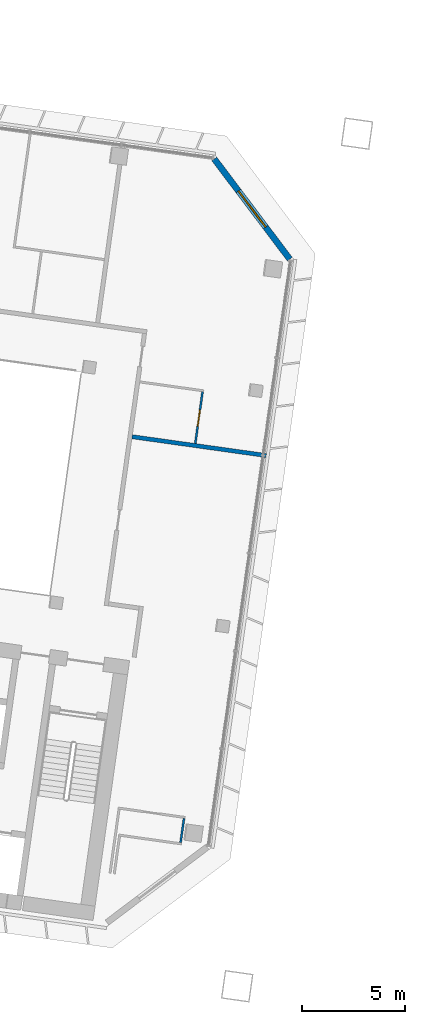
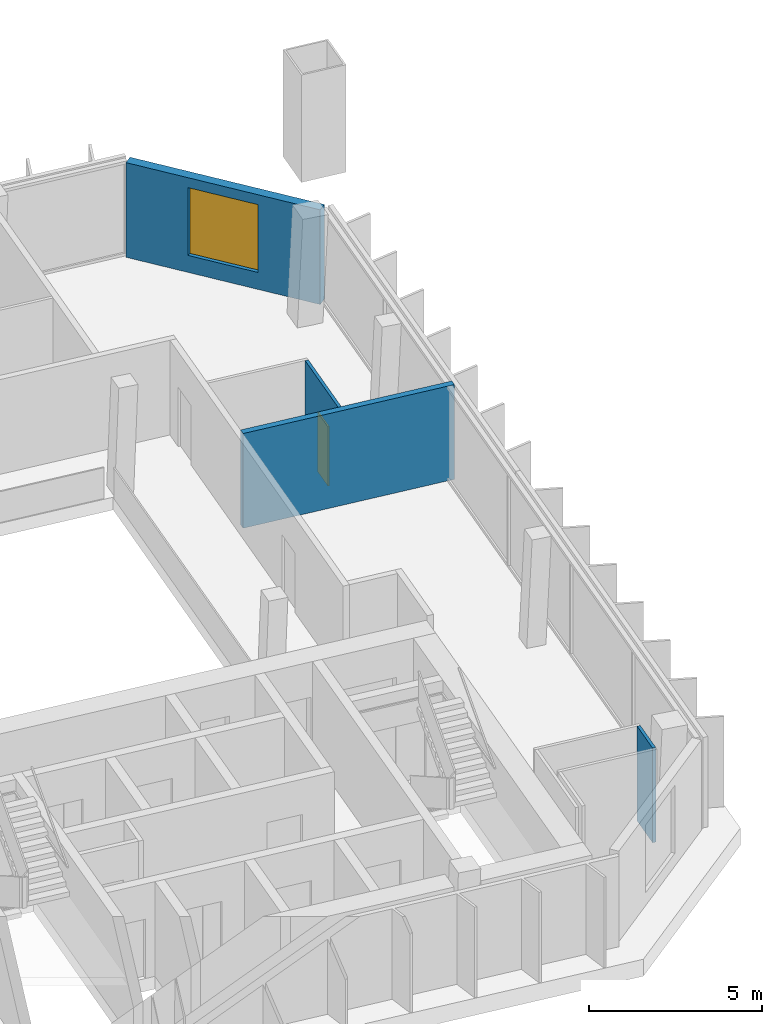
# One storey, part 18 of 25: 4 walls, 1 door, 1 window, 2 openings.
"""IFC4 building model written with IfcOpenShell, lengths in metres."""

from ifc_helpers import new_model, si_unit, direction, frame, frame_2d, origin, place, context, subcontext, project, spatial, rectangle, extrude, material, layer, layer_set, type_object, element, fill, save


model = new_model("IFC4")

# Units and contexts
model_context = context("Model", 3, precision=1e-05, world=origin(), true_north=direction((0.0, 1.0)))
body_context = subcontext(model_context, "Body", "Model", "MODEL_VIEW")
ifc_project = project(units=[si_unit("LENGTHUNIT", "METRE"), si_unit("AREAUNIT", "SQUARE_METRE"), si_unit("VOLUMEUNIT", "CUBIC_METRE"), si_unit("PLANEANGLEUNIT", "RADIAN"), si_unit("MASSUNIT", "GRAM", prefix="KILO")], contexts=[model_context])

# Site, building, storey
site_placement = place(None, origin())
site = spatial("IfcSite", under=ifc_project, at=site_placement, CompositionType="ELEMENT")
building_placement = place(site_placement, origin())
building = spatial("IfcBuilding", under=site, at=building_placement, Name="Mirante Cascada Hotel Towers", CompositionType="ELEMENT")
storey_placement = place(building_placement, frame((0.0, 0.0, 172.6)))
storey = spatial("IfcBuildingStorey", under=building, at=storey_placement, Name="L40", CompositionType="ELEMENT", Elevation=172.6)

# Walls
ifc_material_1 = material(Name="Fire-rated plasterboard on metal studs")
ifc_layer_1 = layer(ifc_material_1, 0.2)
ifc_layer_set_1 = layer_set([ifc_layer_1], Name="Compartment wall 200 EI 120")
wall_type_1 = type_object("IfcWallType", Name="Compartment wall 200 EI 120", PredefinedType="PARTITIONING", material=ifc_layer_set_1)
wall_1_placement = place(storey_placement, frame((-35.368, 3.6352, 0.0), z_axis=(0.0, 0.0, 1.0), x_axis=(0.9902678, -0.1391748, 0.0)))
element("IfcWall", 1, at=wall_1_placement, inside=storey, type_object=wall_type_1, Name="Wall 1-L40-10", PredefinedType="PARTITIONING", context=body_context, shape_type="SweptSolid", body=[
    extrude(rectangle(XDim=6.6068, YDim=0.2, at=frame_2d((3.3034, 0.0))), origin(), (0.0, 0.0, 1.0), 3.35),
])
ifc_material_2 = material(Name="Plasterboard on metal studs")
ifc_layer_2 = layer(ifc_material_2, 0.1)
ifc_layer_set_2 = layer_set([ifc_layer_2], Name="Partition 100")
wall_type_2 = type_object("IfcWallType", Name="Partition 100", PredefinedType="PARTITIONING", material=ifc_layer_set_2)
wall_2_placement = place(storey_placement, frame((-33.0013, -16.1702, 0.0), z_axis=(0.0, 0.0, 1.0), x_axis=(0.1391693, 0.9902686, 0.0)))
element("IfcWall", 2, at=wall_2_placement, inside=storey, type_object=wall_type_2, Name="Wall 1-L40-21", PredefinedType="PARTITIONING", context=body_context, shape_type="SweptSolid", body=[
    extrude(rectangle(XDim=1.2, YDim=0.1, at=frame_2d((0.6, 0.0))), origin(), (0.0, 0.0, 1.0), 3.35),
])

# Wall, opening, door
wall_3_placement = place(storey_placement, frame((-31.9293, 5.828, 0.0), z_axis=(0.0, 0.0, 1.0), x_axis=(-0.1391755, -0.9902677, 0.0)))
wall_3 = element("IfcWall", 3, at=wall_3_placement, inside=storey, type_object=wall_type_2, Name="Wall 1-L40-22", PredefinedType="PARTITIONING", context=body_context, shape_type="SweptSolid", body=[
    extrude(rectangle(XDim=2.55, YDim=0.1, at=frame_2d((1.275, 0.0))), origin(), (0.0, 0.0, 1.0), 3.35),
])
opening_1_placement = place(wall_3_placement, frame((0.9, 0.0, 0.0)))
opening_1 = element("IfcOpeningElement", 4, at=opening_1_placement, cuts=wall_3, Name="Opening D1-L40-16", PredefinedType="OPENING", context=body_context, shape_type="SweptSolid", body=[
    extrude(rectangle(XDim=0.8, YDim=2.1, at=frame_2d((0.4, 1.05))), frame((0.0, 0.05, 0.0), z_axis=(0.0, -1.0, 0.0), x_axis=(1.0, 0.0, 0.0)), (0.0, 0.0, 1.0), 0.1),
])
ifc_material_3 = material(Name="Timber door leaf", Category="wood")
door_type = type_object("IfcDoorType", Name="Bathroom door DG4 800x2100", OperationType="SINGLE_SWING_LEFT", PredefinedType="DOOR", material=ifc_material_3)
door_placement = place(opening_1_placement, frame((0.8, 0.0, 0.0), z_axis=(0.0, 0.0, 1.0), x_axis=(-1.0, 0.0, 0.0)))
door = element("IfcDoor", 5, at=door_placement, inside=storey, type_object=door_type, Name="Door D1-L40-16", OperationType="SINGLE_SWING_RIGHT", OverallHeight=2.1, OverallWidth=0.8, PredefinedType="DOOR", context=body_context, shape_type="SweptSolid", body=[
    extrude(rectangle(XDim=0.8, YDim=2.1, at=frame_2d((0.4, 1.05))), frame((0.0, 0.025, 0.0), z_axis=(0.0, -1.0, 0.0), x_axis=(1.0, 0.0, 0.0)), (0.0, 0.0, 1.0), 0.05),
])
fill(opening_1, door)

# Wall, opening, window
ifc_material_4 = material(Name="Precast concrete C40/50", Category="concrete")
ifc_layer_3 = layer(ifc_material_4, 0.3)
ifc_layer_set_3 = layer_set([ifc_layer_3], Name="Precast concrete C40/50 cladding wall 300")
wall_type_3 = type_object("IfcWallType", Name="Precast concrete C40/50 cladding wall 300", PredefinedType="STANDARD", material=ifc_layer_set_3)
wall_4_placement = place(storey_placement, frame((-31.3552, 17.1814, 0.0), z_axis=(0.0, 0.0, 1.0), x_axis=(0.6018141, -0.7986362, 0.0)))
wall_4 = element("IfcWall", 6, at=wall_4_placement, inside=storey, type_object=wall_type_3, Name="Corner cladding wall T1 L40 front inner", PredefinedType="STANDARD", context=body_context, shape_type="SweptSolid", body=[
    extrude(rectangle(XDim=6.1157, YDim=0.3, at=frame_2d((3.0578, 0.0))), origin(), (0.0, 0.0, 1.0), 3.35),
])
opening_2_placement = place(wall_4_placement, frame((1.9578, 0.0, 0.6)))
opening_2 = element("IfcOpeningElement", 7, at=opening_2_placement, cuts=wall_4, Name="Opening W1-40-03", PredefinedType="OPENING", context=body_context, shape_type="SweptSolid", body=[
    extrude(rectangle(XDim=2.2, YDim=2.4, at=frame_2d((1.1, 1.2))), frame((0.0, 0.15, 0.0), z_axis=(0.0, -1.0, 0.0), x_axis=(1.0, 0.0, 0.0)), (0.0, 0.0, 1.0), 0.3),
])
ifc_material_5 = material(Name="Aluminium frame with clear double glazing", Category="aluminium")
window_type = type_object("IfcWindowType", Name="Corner suite window 2200x2400", PartitioningType="DOUBLE_PANEL_VERTICAL", PredefinedType="WINDOW", material=ifc_material_5)
window_placement = place(opening_2_placement, origin())
window = element("IfcWindow", 8, at=window_placement, inside=storey, type_object=window_type, Name="Window W1-40-03", OverallHeight=2.4, OverallWidth=2.2, PartitioningType="SINGLE_PANEL", PredefinedType="WINDOW", context=body_context, shape_type="SweptSolid", body=[
    extrude(rectangle(XDim=2.2, YDim=2.4, at=frame_2d((1.1, 1.2))), frame((0.0, 0.03, 0.0), z_axis=(0.0, -1.0, 0.0), x_axis=(1.0, 0.0, 0.0)), (0.0, 0.0, 1.0), 0.06),
])
fill(opening_2, window)

save(model, "model.ifc")
